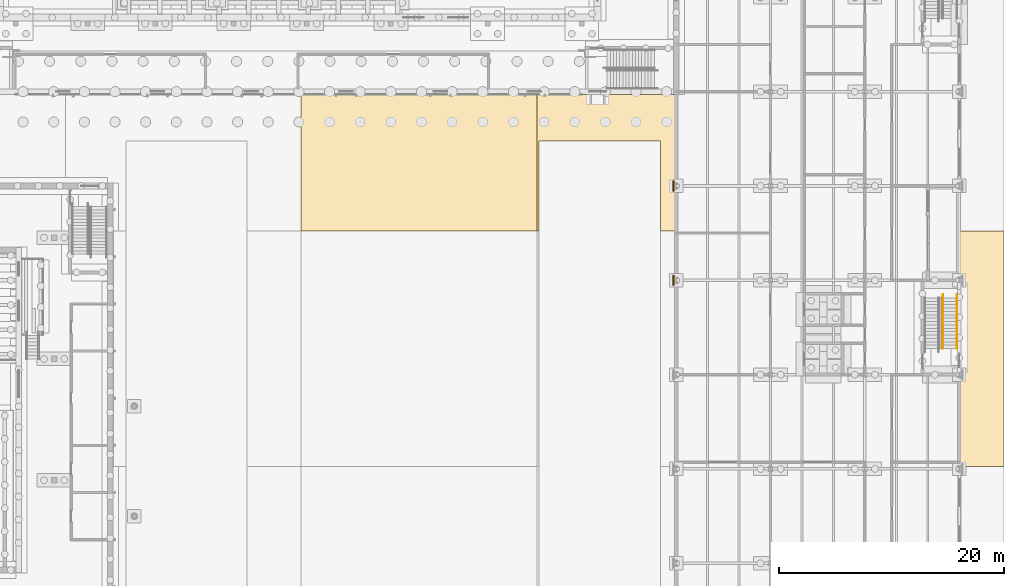
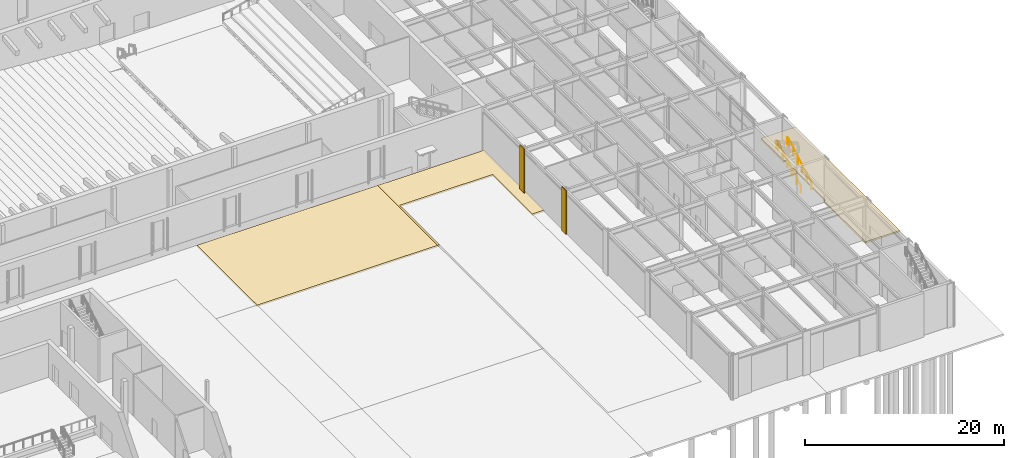
# One storey, part 102 of 127: 5 coverings, 2 railings.
"""IFC4 building model written with IfcOpenShell, lengths in metres."""

from ifc_helpers import new_model, si_unit, direction, frame, origin, origin_2d, place, context, subcontext, project, spatial, polyline, rectangle, circle, outline, extrude, material, layer, layer_set, type_object, element, save


model = new_model("IFC4")

# Units and contexts
model_context = context("Model", 3, precision=1e-05, world=origin(), true_north=direction((0.0, 1.0)))
body_context = subcontext(model_context, "Body", "Model", "MODEL_VIEW")
ifc_project = project(units=[si_unit("LENGTHUNIT", "METRE"), si_unit("AREAUNIT", "SQUARE_METRE"), si_unit("VOLUMEUNIT", "CUBIC_METRE"), si_unit("PLANEANGLEUNIT", "RADIAN"), si_unit("MASSUNIT", "GRAM", prefix="KILO")], contexts=[model_context])

# Site, building, storey
site_placement = place(None, origin())
site = spatial("IfcSite", under=ifc_project, at=site_placement, CompositionType="ELEMENT")
building_placement = place(site_placement, origin())
building = spatial("IfcBuilding", under=site, at=building_placement, Name="Ljudholm Concert House", CompositionType="ELEMENT")
storey_placement = place(building_placement, origin())
storey = spatial("IfcBuildingStorey", under=building, at=storey_placement, Name="L00", CompositionType="ELEMENT", Elevation=0.0)

# Railings
ifc_material_1 = material(Name="Steel ASTM A36", Category="steel")
railing_type = type_object("IfcRailingType", Name="HANDRAIL 900", PredefinedType="HANDRAIL", material=ifc_material_1)
railing_1_placement = place(storey_placement, frame((120.175048828125, 31.52490234375, 0.168701171875)))
element("IfcRailing", 1, at=railing_1_placement, inside=storey, type_object=railing_type, Name="Handrail", PredefinedType="HANDRAIL", context=body_context, shape_type="SweptSolid", body=[
    extrude(circle(Radius=0.0224609375, at=origin_2d()), frame((0.0, 0.0, 0.87744140625), z_axis=(0.0, 0.871569223971, 0.490272462847), x_axis=(-1.0, 0.0, 0.0)), (0.0, 0.0, 1.0), 1.03271484375),
    extrude(circle(Radius=0.0224609375, at=origin_2d()), frame((0.0, 0.900146484375, 1.3837890625), z_axis=(0.0, 0.871613425205, 0.490193876953), x_axis=(-1.0, 0.0, 0.0)), (0.0, 0.0, 1.0), 1.032470703125),
    extrude(circle(Radius=0.0224609375, at=origin_2d()), frame((0.0, 1.800048828125, 1.889892578125), z_axis=(0.0, 0.871569223971, 0.490272462847), x_axis=(-1.0, 0.0, 0.0)), (0.0, 0.0, 1.0), 1.03271484375),
    extrude(circle(Radius=0.0224609375, at=origin_2d()), frame((0.0, 2.7001953125, 2.396240234375), z_axis=(0.0, 0.871512386077, 0.490373491244), x_axis=(-1.0, 0.0, 0.0)), (0.0, 0.0, 1.0), 1.032470703125),
    extrude(circle(Radius=0.0224609375, at=origin_2d()), frame((0.0, 3.60009765625, 2.902587890625), z_axis=(0.0, 0.871613425205, 0.490193876953), x_axis=(-1.0, 0.0, 0.0)), (0.0, 0.0, 1.0), 1.032470703125),
    extrude(circle(Radius=0.0224609375, at=origin_2d()), frame((0.0, 4.5, 3.40869140625), z_axis=(0.0, 1.0, 0.0), x_axis=(-1.0, 0.0, 0.0)), (0.0, 0.0, 1.0), 0.300048828125),
    extrude(circle(Radius=0.02099609375, at=origin_2d()), origin(), (0.0, 0.0, 1.0), 0.85498046875),
    extrude(circle(Radius=0.02099609375, at=origin_2d()), frame((0.0, 0.900146484375, 0.50634765625)), (0.0, 0.0, 1.0), 0.85498046875),
    extrude(circle(Radius=0.02099609375, at=origin_2d()), frame((0.0, 1.800048828125, 1.012451171875)), (0.0, 0.0, 1.0), 0.85498046875),
    extrude(circle(Radius=0.02099609375, at=origin_2d()), frame((0.0, 2.7001953125, 1.518798828125)), (0.0, 0.0, 1.0), 0.85498046875),
    extrude(circle(Radius=0.02099609375, at=origin_2d()), frame((0.0, 3.60009765625, 2.025146484375)), (0.0, 0.0, 1.0), 0.85498046875),
    extrude(circle(Radius=0.02099609375, at=origin_2d()), frame((0.0, 4.5, 2.53125)), (0.0, 0.0, 1.0), 0.85498046875),
    extrude(circle(Radius=0.02099609375, at=origin_2d()), frame((0.0, 4.800048828125, 2.53125)), (0.0, 0.0, 1.0), 0.85498046875),
])
railing_2_placement = place(storey_placement, frame((121.39990234375, 31.52490234375, 0.168701171875)))
element("IfcRailing", 2, at=railing_2_placement, inside=storey, type_object=railing_type, Name="Handrail", PredefinedType="HANDRAIL", context=body_context, shape_type="SweptSolid", body=[
    extrude(circle(Radius=0.0224609375, at=origin_2d()), frame((0.0, 0.0, 0.87744140625), z_axis=(0.0, 0.871569223971, 0.490272462847), x_axis=(-1.0, 0.0, 0.0)), (0.0, 0.0, 1.0), 1.03271484375),
    extrude(circle(Radius=0.0224609375, at=origin_2d()), frame((0.0, 0.900146484375, 1.3837890625), z_axis=(0.0, 0.871613425205, 0.490193876953), x_axis=(-1.0, 0.0, 0.0)), (0.0, 0.0, 1.0), 1.032470703125),
    extrude(circle(Radius=0.0224609375, at=origin_2d()), frame((0.0, 1.800048828125, 1.889892578125), z_axis=(0.0, 0.871569223971, 0.490272462847), x_axis=(-1.0, 0.0, 0.0)), (0.0, 0.0, 1.0), 1.03271484375),
    extrude(circle(Radius=0.0224609375, at=origin_2d()), frame((0.0, 2.7001953125, 2.396240234375), z_axis=(0.0, 0.871512386077, 0.490373491244), x_axis=(-1.0, 0.0, 0.0)), (0.0, 0.0, 1.0), 1.032470703125),
    extrude(circle(Radius=0.0224609375, at=origin_2d()), frame((0.0, 3.60009765625, 2.902587890625), z_axis=(0.0, 0.871613425205, 0.490193876953), x_axis=(-1.0, 0.0, 0.0)), (0.0, 0.0, 1.0), 1.032470703125),
    extrude(circle(Radius=0.0224609375, at=origin_2d()), frame((0.0, 4.5, 3.40869140625), z_axis=(0.0, 1.0, 0.0), x_axis=(-1.0, 0.0, 0.0)), (0.0, 0.0, 1.0), 0.300048828125),
    extrude(circle(Radius=0.02099609375, at=origin_2d()), origin(), (0.0, 0.0, 1.0), 0.85498046875),
    extrude(circle(Radius=0.02099609375, at=origin_2d()), frame((0.0, 0.900146484375, 0.50634765625)), (0.0, 0.0, 1.0), 0.85498046875),
    extrude(circle(Radius=0.02099609375, at=origin_2d()), frame((0.0, 1.800048828125, 1.012451171875)), (0.0, 0.0, 1.0), 0.85498046875),
    extrude(circle(Radius=0.02099609375, at=origin_2d()), frame((0.0, 2.7001953125, 1.518798828125)), (0.0, 0.0, 1.0), 0.85498046875),
    extrude(circle(Radius=0.02099609375, at=origin_2d()), frame((0.0, 3.60009765625, 2.025146484375)), (0.0, 0.0, 1.0), 0.85498046875),
    extrude(circle(Radius=0.02099609375, at=origin_2d()), frame((0.0, 4.5, 2.53125)), (0.0, 0.0, 1.0), 0.85498046875),
    extrude(circle(Radius=0.02099609375, at=origin_2d()), frame((0.0, 4.800048828125, 2.53125)), (0.0, 0.0, 1.0), 0.85498046875),
])

# Coverings
ifc_material_2 = material(Name="Precast concrete pavers on compacted sand bed", Category="concrete")
ifc_layer_1 = layer(ifc_material_2, 0.199951171875)
ifc_layer_set_1 = layer_set([ifc_layer_1], Name="Precast concrete pavers on compacted sand bed")
covering_type_1 = type_object("IfcCoveringType", Name="PRECAST CONCRETE PAVERS ON COMPACTED SAND BED PAVING 200", PredefinedType="USERDEFINED", material=ifc_layer_set_1)
covering_1_placement = place(storey_placement, frame((0.0, 0.0, -0.199951171875)))
element("IfcCovering", 3, at=covering_1_placement, inside=storey, type_object=covering_type_1, Name="Paving", ObjectType="PAVING", PredefinedType="USERDEFINED", context=body_context, shape_type="SweptSolid", body=[
    extrude(outline(polyline([(125.590087890625, 21.0), (121.60009765625, 21.0), (121.60009765625, 29.36669921875), (121.751953125, 29.36669921875), (121.759521484375, 29.369140625), (121.765380859375, 29.3740234375), (121.76904296875, 29.380859375), (121.77001953125, 29.38671875), (121.77001953125, 37.413330078125), (121.76904296875, 37.419189453125), (121.765380859375, 37.426025390625), (121.759521484375, 37.430908203125), (121.751953125, 37.43310546875), (121.60009765625, 37.433349609375), (121.60009765625, 42.0), (125.590087890625, 42.0), (125.590087890625, 21.0)])), origin(), (0.0, 0.0, 1.0), 0.199951171875),
])
covering_2_placement = place(storey_placement, frame((0.0, 0.0, -0.199951171875)))
element("IfcCovering", 4, at=covering_2_placement, inside=storey, type_object=covering_type_1, Name="Paving", ObjectType="PAVING", PredefinedType="USERDEFINED", context=body_context, shape_type="SweptSolid", body=[
    extrude(outline(polyline([(84.0, 54.1298828125), (84.0, 42.0), (63.0, 42.0), (63.0, 54.1298828125), (84.0, 54.1298828125)])), origin(), (0.0, 0.0, 1.0), 0.199951171875),
])
covering_3_placement = place(storey_placement, frame((0.0, 0.0, -0.199951171875)))
element("IfcCovering", 5, at=covering_3_placement, inside=storey, type_object=covering_type_1, Name="Paving", ObjectType="PAVING", PredefinedType="USERDEFINED", context=body_context, shape_type="SweptSolid", body=[
    extrude(outline(polyline([(96.14990234375, 54.1298828125), (96.15771484375, 54.131591796875), (96.1640625, 54.1357421875), (96.16845703125, 54.142333984375), (96.169921875, 54.14990234375), (96.39990234375, 54.14990234375), (96.39990234375, 42.0), (95.0, 42.0), (95.0, 50.0), (84.199951171875, 50.0), (84.199951171875, 42.0), (84.0, 42.0), (84.0, 54.1298828125), (96.14990234375, 54.1298828125)])), origin(), (0.0, 0.0, 1.0), 0.199951171875),
])
ifc_material_3 = material(Name="Precast concrete, limestone aggregate", Category="masonry")
ifc_layer_2 = layer(ifc_material_3, 0.110107421875)
ifc_layer_set_2 = layer_set([ifc_layer_2], Name="Precast concrete, limestone aggregate")
covering_type_2 = type_object("IfcCoveringType", Name="PRECAST CONCRETE, LIMESTONE AGGREGATE CLADDING 110", PredefinedType="CLADDING", material=ifc_layer_set_2)
for number, where, z_axis, x_axis, name in (
    (6, (96.155029296875, 37.60009765625, 0.0), (0.0, 0.0, 1.0), (-1.0, 0.0, 0.0), "Pilaster cladding"),
    (7, (96.155029296875, 46.0, 0.0), (0.0, 0.0, 1.0), (-1.0, 0.0, 0.0), "Pilaster cladding"),
):
    element("IfcCovering", number, at=place(storey_placement, frame(where, z_axis=z_axis, x_axis=x_axis)), inside=storey, type_object=covering_type_2, Name=name, PredefinedType="CLADDING", context=body_context, shape_type="SweptSolid", body=[
        extrude(rectangle(XDim=0.110107421875, YDim=0.89990234375, at=origin_2d()), origin(), (0.0, 0.0, 1.0), 5.39990234375),
    ])

save(model, "model.ifc")
